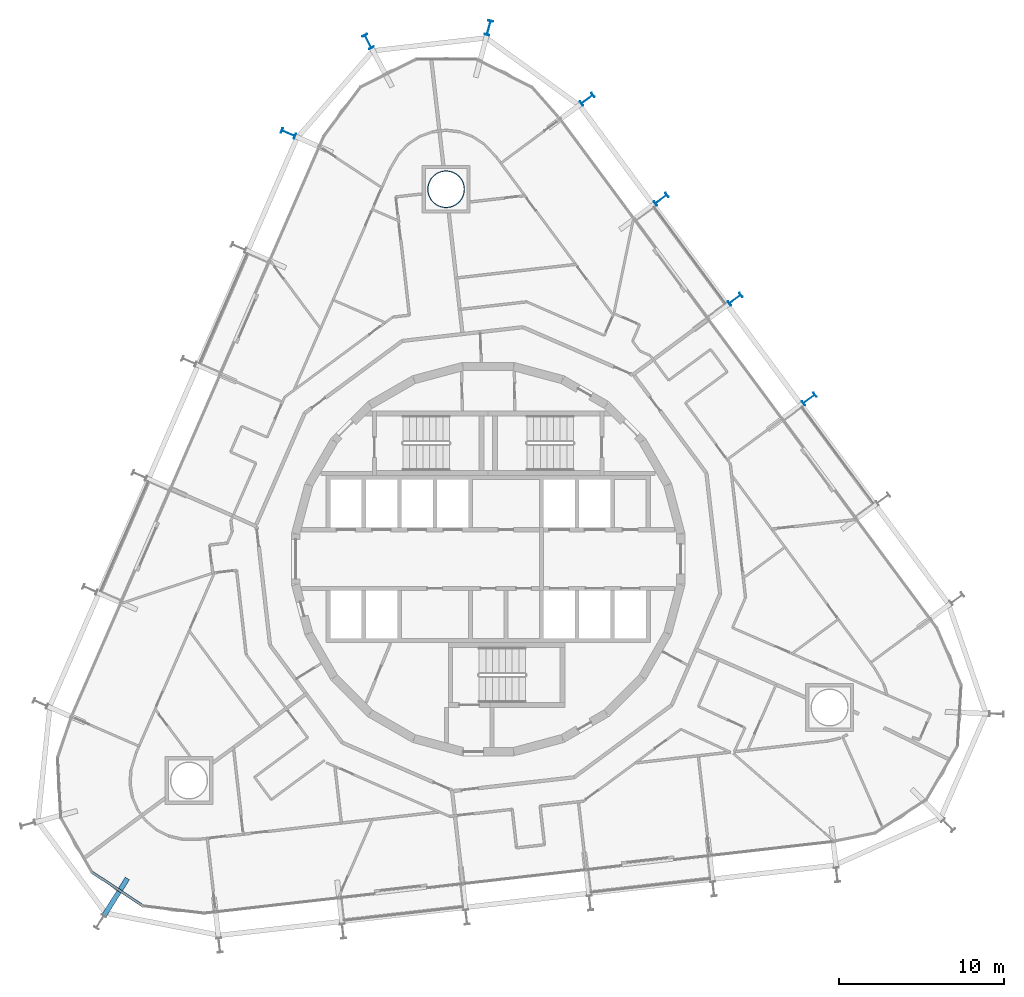
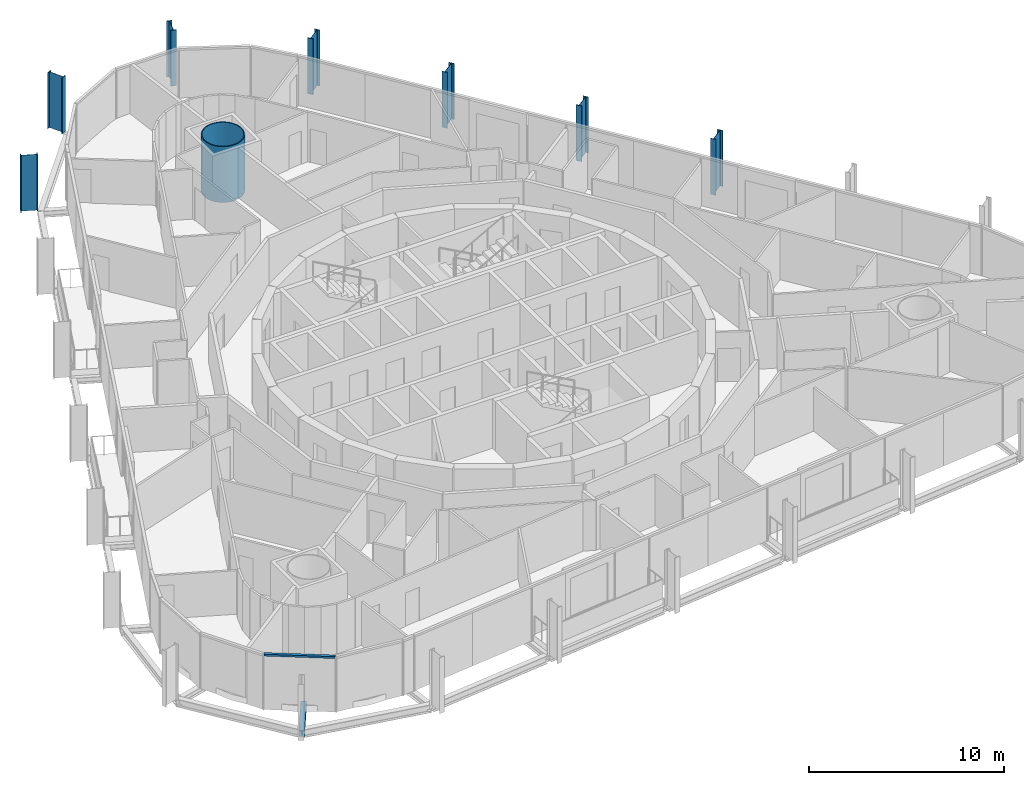
# One storey, part 2 of 23: 8 columns, 1 beam, 1 member, 1 element without a shape of its own.
"""IFC4 building model written with IfcOpenShell, lengths in metres."""

from ifc_helpers import new_model, si_unit, direction, frame, origin, origin_2d, place, context, subcontext, project, spatial, rectangle, hollow_circle, i_section, extrude, material, layer, layer_set, material_profile, profile_set, type_object, element, aggregate, save


model = new_model("IFC4")

# Units and contexts
model_context = context("Model", 3, precision=1e-05, world=origin(), true_north=direction((0.0, 1.0)))
body_context = subcontext(model_context, "Body", "Model", "MODEL_VIEW")
ifc_project = project(units=[si_unit("LENGTHUNIT", "METRE"), si_unit("AREAUNIT", "SQUARE_METRE"), si_unit("VOLUMEUNIT", "CUBIC_METRE"), si_unit("PLANEANGLEUNIT", "RADIAN"), si_unit("MASSUNIT", "GRAM", prefix="KILO")], contexts=[model_context])

# Site, building, storey
site_placement = place(None, origin())
site = spatial("IfcSite", under=ifc_project, at=site_placement, CompositionType="ELEMENT")
building_placement = place(site_placement, origin())
building = spatial("IfcBuilding", under=site, at=building_placement, Name="Spindle Arch Residences", CompositionType="ELEMENT")
storey_placement = place(building_placement, frame((0.0, 0.0, 83.699951171875)))
storey = spatial("IfcBuildingStorey", under=building, at=storey_placement, Name="L19", CompositionType="ELEMENT", Elevation=83.699951171875)

# Columns
ifc_material_1 = material(Name="Steel S460ML, intumescent coating R 240", Category="steel")
ifc_material_profile_1 = material_profile(ifc_material_1, i_section(OverallWidth=0.300048828125, OverallDepth=0.89990234375, WebThickness=0.0185546875, FlangeThickness=0.034912109375, FilletRadius=0.030029296875, at=origin_2d()), Name="HEB 900")
ifc_profile_set_1 = profile_set([ifc_material_profile_1], Name="Steel S460ML, intumescent coating R 240")
column_type_1 = type_object("IfcColumnType", Name="Exoskeleton post HEB 900", PredefinedType="COLUMN", material=ifc_profile_set_1)
for number, where, z_axis, x_axis, name in (
    (1, (19.404541015625, 9.681884765625, -0.3798828125), (0.0, 0.0, 1.0), (0.594822857897, -0.803856807972, 0.0), "Exoskeleton post 8"),
    (2, (14.93212890625, 15.72607421875, -0.3798828125), (0.0, 0.0, 1.0), (0.594822857897, -0.803856807972, 0.0), "Exoskeleton post 9"),
    (3, (10.459716796875, 21.77001953125, -0.3798828125), (0.0, 0.0, 1.0), (0.594822857897, -0.803856807972, 0.0), "Exoskeleton post 10"),
    (4, (5.987548828125, 27.814208984375, -0.3798828125), (0.0, 0.0, 1.0), (0.594822857897, -0.803856807972, 0.0), "Exoskeleton post 11"),
    (5, (0.035888671875, 32.134033203125, -0.3798828125), (0.0, 0.0, 1.0), (0.966704856799, -0.255893962102, 0.0), "Exoskeleton post 12"),
    (6, (-7.263427734375, 31.302490234375, -0.3798828125), (0.0, 0.0, 1.0), (0.884364605378, 0.466796791715, 0.0), "Exoskeleton post 13"),
    (7, (-12.0908203125, 25.75439453125, -0.3798828125), (0.0, 0.0, 1.0), (0.398749038162, 0.917060087761, 0.0), "Exoskeleton post 14"),
):
    element("IfcColumn", number, at=place(storey_placement, frame(where, z_axis=z_axis, x_axis=x_axis)), inside=storey, type_object=column_type_1, Name=name, PredefinedType="COLUMN", context=body_context, shape_type="SweptSolid", body=[
        extrude(i_section(OverallWidth=0.300048828125, OverallDepth=0.89990234375, WebThickness=0.0185546875, FlangeThickness=0.034912109375, FilletRadius=0.030029296875, at=origin_2d()), origin(), (0.0, 0.0, 1.0), 3.5),
    ])
ifc_material_2 = material(Name="Concrete C50/60 filled steel tube S460ML, intumescent coating R 240", Category="concrete")
ifc_material_profile_2 = material_profile(ifc_material_2, hollow_circle(Radius=1.125, WallThickness=0.054931640625, at=origin_2d()), Name="CFT D2250x55")
ifc_profile_set_2 = profile_set([ifc_material_profile_2], Name="Concrete C50/60 filled steel tube S460ML, intumescent coating R 240")
column_type_2 = type_object("IfcColumnType", Name="Mega-column CFT D2250x55", PredefinedType="COLUMN", material=ifc_profile_set_2)
column_placement = place(storey_placement, frame((-2.548828125, 22.370361328125, -0.3798828125), z_axis=(0.0, 0.0, 1.0), x_axis=(1.0, 0.0, 0.0)))
element("IfcColumn", 8, at=column_placement, inside=storey, type_object=column_type_2, Name="Mega-column 2", PredefinedType="COLUMN", context=body_context, shape_type="SweptSolid", body=[
    extrude(hollow_circle(Radius=1.125, WallThickness=0.054931640625, at=origin_2d()), origin(), (0.0, 0.0, 1.0), 3.5),
])

# Curtain wall, member
ifc_material_3 = material(Name="Aluminium bronze unitised frame with tinted glass", Category="aluminium")
ifc_layer = layer(ifc_material_3, 0.159912109375)
ifc_layer_set = layer_set([ifc_layer], Name="CW-D corner wall on the fillet arcs")
curtain_wall_type = type_object("IfcCurtainWallType", Name="CW-D corner wall on the fillet arcs", PredefinedType="NOTDEFINED", material=ifc_layer_set)
curtain_wall_placement = place(storey_placement, origin())
curtain_wall = element("IfcCurtainWall", 9, at=curtain_wall_placement, inside=storey, type_object=curtain_wall_type, Name="CW-D L19 run 5", PredefinedType="NOTDEFINED")
ifc_material_4 = material(Name="Aluminium bronze anodised transom", Category="aluminium")
ifc_material_profile_3 = material_profile(ifc_material_4, rectangle(XDim=0.159912109375, YDim=0.1201171875, at=origin_2d()), Name="TR 120x160")
ifc_profile_set_3 = profile_set([ifc_material_profile_3], Name="Aluminium bronze anodised transom")
member_type = type_object("IfcMemberType", Name="Bronze transom 120x160", PredefinedType="USERDEFINED", material=ifc_profile_set_3)
member_placement = place(storey_placement, frame((-23.967041015625, -18.936767578125, 3.06005859375), z_axis=(0.833899758412, -0.551915929214, 0.0), x_axis=(0.551915929214, 0.833899758412, 0.0)))
member = element("IfcMember", 10, at=member_placement, type_object=member_type, Name="CW-D transom 03", ObjectType="TRANSOM", PredefinedType="USERDEFINED", context=body_context, shape_type="SweptSolid", body=[
    extrude(rectangle(XDim=0.159912109375, YDim=0.1201171875, at=origin_2d()), origin(), (0.0, 0.0, 1.0), 3.666748046875),
])
aggregate(curtain_wall, [member])

# Beam
ifc_material_5 = material(Name="Steel S460ML, intumescent coating R 120", Category="steel")
ifc_material_profile_4 = material_profile(ifc_material_5, i_section(OverallWidth=0.300048828125, OverallDepth=0.389892578125, WebThickness=0.010986328125, FlangeThickness=0.01904296875, FilletRadius=0.027099609375, at=origin_2d()), Name="HEA 400")
ifc_profile_set_4 = profile_set([ifc_material_profile_4], Name="Steel S460ML, intumescent coating R 120")
beam_type = type_object("IfcBeamType", Name="Floor outrigger HEA 400", PredefinedType="BEAM", material=ifc_profile_set_4)
beam_placement = place(storey_placement, frame((-23.2373046875, -21.560546875, -0.574951171875), z_axis=(0.532414919102, 0.846483522532, 0.0), x_axis=(-0.846483522532, 0.532414919102, 0.0)))
element("IfcBeam", 11, at=beam_placement, inside=storey, type_object=beam_type, Name="Floor outrigger 21", PredefinedType="BEAM", context=body_context, shape_type="SweptSolid", body=[
    extrude(i_section(OverallWidth=0.300048828125, OverallDepth=0.389892578125, WebThickness=0.010986328125, FlangeThickness=0.01904296875, FilletRadius=0.027099609375, at=origin_2d()), origin(), (0.0, 0.0, 1.0), 2.64990234375),
])

save(model, "model.ifc")
